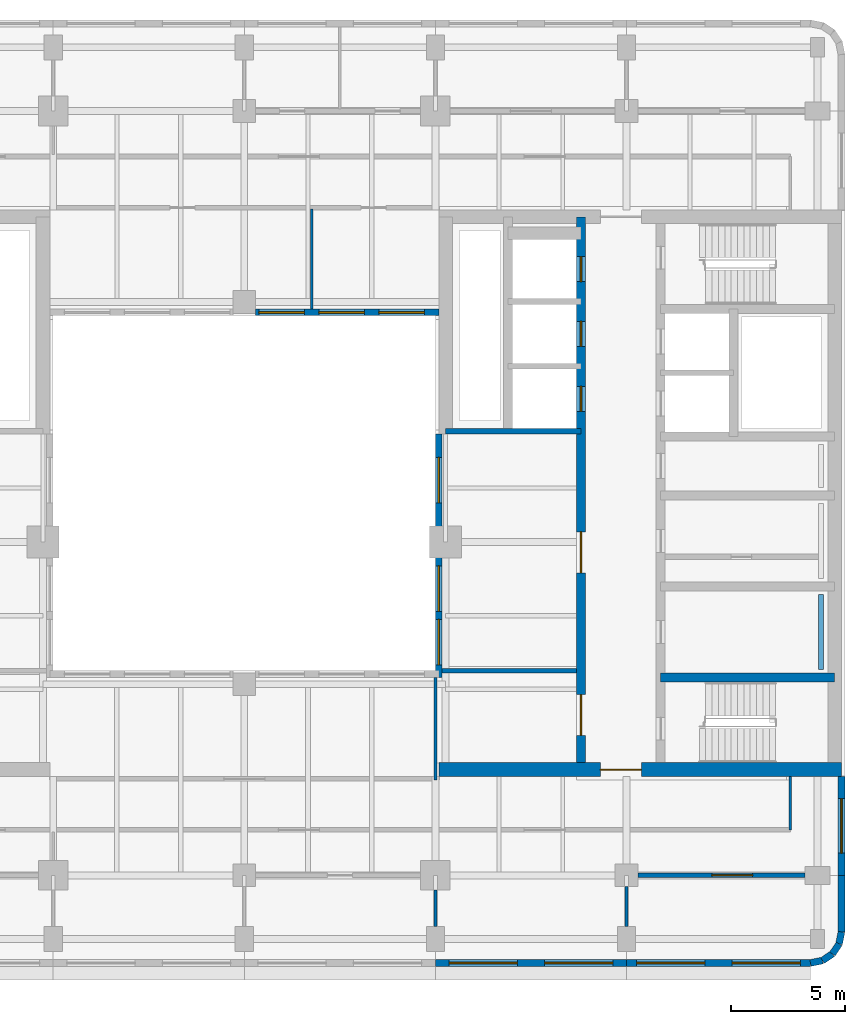
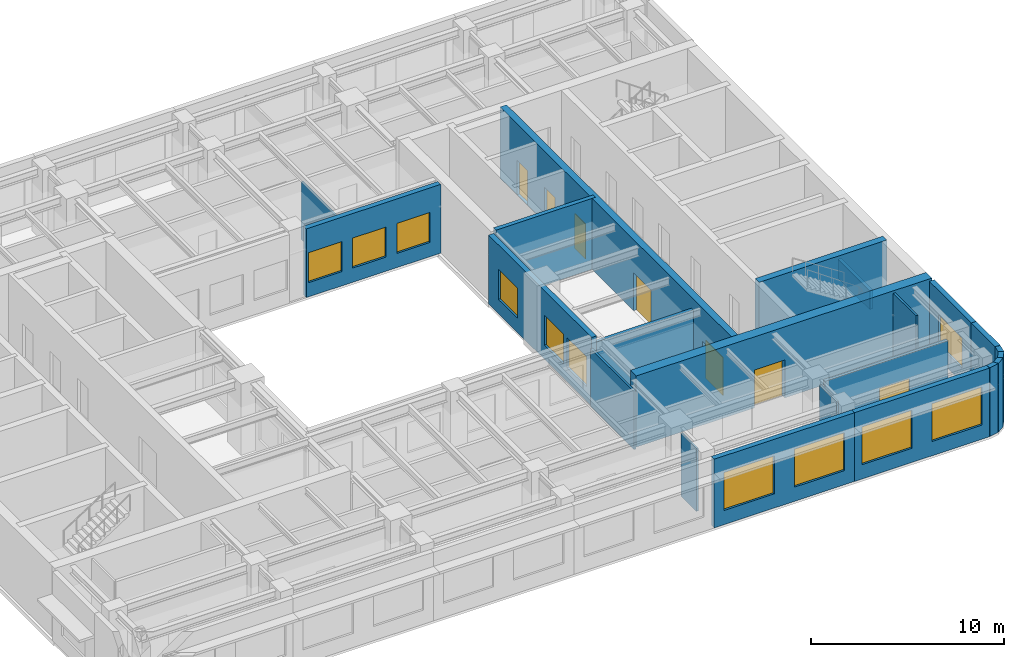
# One storey, part 5 of 11: 22 walls, 11 windows, 7 doors, 18 openings.
"""IFC4 building model written with IfcOpenShell, lengths in metres."""

from ifc_helpers import new_model, si_unit, direction, frame, frame_2d, origin, place, context, subcontext, project, spatial, rectangle, extrude, material, layer, layer_set, type_object, element, fill, save


model = new_model("IFC4")

# Units and contexts
model_context = context("Model", 3, precision=1e-05, world=origin(), true_north=direction((0.0, 1.0)))
body_context = subcontext(model_context, "Body", "Model", "MODEL_VIEW")
ifc_project = project(units=[si_unit("LENGTHUNIT", "METRE"), si_unit("AREAUNIT", "SQUARE_METRE"), si_unit("VOLUMEUNIT", "CUBIC_METRE"), si_unit("PLANEANGLEUNIT", "RADIAN"), si_unit("MASSUNIT", "GRAM", prefix="KILO")], contexts=[model_context])

# Site, building, storey
site_placement = place(None, origin())
site = spatial("IfcSite", under=ifc_project, at=site_placement, CompositionType="ELEMENT")
building_placement = place(site_placement, origin())
building = spatial("IfcBuilding", under=site, at=building_placement, Name="Claustro Exchange Tower", CompositionType="ELEMENT")
storey_placement = place(building_placement, frame((0.0, 0.0, 272.699951171875)))
storey = spatial("IfcBuildingStorey", under=building, at=storey_placement, Name="L62", CompositionType="ELEMENT", Elevation=272.699951171875)

# Walls
ifc_material_1 = material(Name="Laminated glass in aluminium frame", Category="aluminium")
ifc_layer_1 = layer(ifc_material_1, 0.1201171875)
ifc_layer_set_1 = layer_set([ifc_layer_1], Name="Laminated glass in aluminium frame")
wall_type_1 = type_object("IfcWallType", Name="P2 120 glazed partition", PredefinedType="PARTITIONING", material=ifc_layer_set_1)
wall_1_placement = place(storey_placement, frame((33.60009765625, 12.60009765625, 0.0), z_axis=(0.0, 0.0, 1.0), x_axis=(0.0, 1.0, 0.0)))
element("IfcWall", 1, at=wall_1_placement, inside=storey, type_object=wall_type_1, Name="Partition P2 L62", PredefinedType="PARTITIONING", context=body_context, shape_type="SweptSolid", body=[
    extrude(rectangle(XDim=4.501953125, YDim=0.1201171875, at=frame_2d((2.2509765625, 0.0))), origin(), (0.0, 0.0, 1.0), 3.66015625),
])
wall_2_placement = place(storey_placement, frame((33.60009765625, 6.14892578125, 0.0), z_axis=(0.0, 0.0, 1.0), x_axis=(0.0, 1.0, 0.0)))
element("IfcWall", 2, at=wall_2_placement, inside=storey, type_object=wall_type_1, Name="Partition P2 L62", PredefinedType="PARTITIONING", context=body_context, shape_type="SweptSolid", body=[
    extrude(rectangle(XDim=1.60205078125, YDim=0.1201171875, at=frame_2d((0.801025390625, 0.0))), origin(), (0.0, 0.0, 1.0), 3.989990234375),
])
wall_3_placement = place(storey_placement, frame((42.0, 6.14892578125, 0.0), z_axis=(0.0, 0.0, 1.0), x_axis=(0.0, 1.0, 0.0)))
element("IfcWall", 3, at=wall_3_placement, inside=storey, type_object=wall_type_1, Name="Partition P2 L62", PredefinedType="PARTITIONING", context=body_context, shape_type="SweptSolid", body=[
    extrude(rectangle(XDim=1.751953125, YDim=0.1201171875, at=frame_2d((0.8759765625, 0.0))), origin(), (0.0, 0.0, 1.0), 3.989990234375),
])
wall_4_placement = place(storey_placement, frame((49.199951171875, 10.39990234375, 0.0), z_axis=(0.0, 0.0, 1.0), x_axis=(0.0, 1.0, 0.0)))
element("IfcWall", 4, at=wall_4_placement, inside=storey, type_object=wall_type_1, Name="Partition P2 L62", PredefinedType="PARTITIONING", context=body_context, shape_type="SweptSolid", body=[
    extrude(rectangle(XDim=2.35205078125, YDim=0.1201171875, at=frame_2d((1.176025390625, 0.0))), origin(), (0.0, 0.0, 1.0), 4.35009765625),
])
wall_5_placement = place(storey_placement, frame((28.159912109375, 33.298095703125, 0.0), z_axis=(0.0, 0.0, 1.0), x_axis=(0.0, 1.0, 0.0)))
element("IfcWall", 5, at=wall_5_placement, inside=storey, type_object=wall_type_1, Name="Partition P2 L62", PredefinedType="PARTITIONING", context=body_context, shape_type="SweptSolid", body=[
    extrude(rectangle(XDim=4.40380859375, YDim=0.1201171875, at=frame_2d((2.201904296875, 0.0))), origin(), (0.0, 0.0, 1.0), 3.66015625),
])
ifc_material_2 = material(Name="Twin-skin gypsum board on steel studs, mineral wool", Category="steel")
ifc_layer_2 = layer(ifc_material_2, 0.199951171875)
ifc_layer_set_2 = layer_set([ifc_layer_2], Name="Twin-skin gypsum board on steel studs, mineral wool")
wall_type_2 = type_object("IfcWallType", Name="P3 200 acoustic partition", PredefinedType="PARTITIONING", material=ifc_layer_set_2)
wall_6_placement = place(storey_placement, frame((33.89794921875, 17.39990234375, 0.0), z_axis=(0.0, 0.0, 1.0), x_axis=(1.0, 0.0, 0.0)))
element("IfcWall", 6, at=wall_6_placement, inside=storey, type_object=wall_type_2, Name="Partition P3 L62", PredefinedType="PARTITIONING", context=body_context, shape_type="SweptSolid", body=[
    extrude(rectangle(XDim=5.904052734375, YDim=0.199951171875, at=frame_2d((2.9521484375, 0.0))), origin(), (0.0, 0.0, 1.0), 3.800048828125),
])

# Wall, opening, door
wall_7_placement = place(storey_placement, frame((42.4990234375, 8.39990234375, 0.0), z_axis=(0.0, 0.0, 1.0), x_axis=(1.0, 0.0, 0.0)))
wall_7 = element("IfcWall", 7, at=wall_7_placement, inside=storey, type_object=wall_type_2, Name="Partition P3 L62", PredefinedType="PARTITIONING", context=body_context, shape_type="SweptSolid", body=[
    extrude(rectangle(XDim=7.35205078125, YDim=0.199951171875, at=frame_2d((3.676025390625, 0.0))), origin(), (0.0, 0.0, 1.0), 3.800048828125),
])
opening_1_placement = place(wall_7_placement, frame((3.2509765625, 0.0, 0.0)))
opening_1 = element("IfcOpeningElement", 8, at=opening_1_placement, cuts=wall_7, Name="Opening D2", PredefinedType="OPENING", context=body_context, shape_type="SweptSolid", body=[
    extrude(rectangle(XDim=1.800048828125, YDim=2.199951171875, at=frame_2d((0.89990234375, 1.10009765625))), frame((0.0, 0.10986328125, 0.0), z_axis=(0.0, -1.0, 0.0), x_axis=(1.0, 0.0, 0.0)), (0.0, 0.0, 1.0), 0.219970703125),
])
ifc_material_3 = material(Name="Timber door, oak veneer", Category="wood")
door_type_1 = type_object("IfcDoorType", Name="D2 1800 x 2200 double door", OperationType="DOUBLE_DOOR_SINGLE_SWING", PredefinedType="DOOR", material=ifc_material_3)
door_1_placement = place(opening_1_placement, frame((1.800048828125, 0.0, 0.0), z_axis=(0.0, 0.0, 1.0), x_axis=(-1.0, 0.0, 0.0)))
door_1 = element("IfcDoor", 9, at=door_1_placement, inside=storey, type_object=door_type_1, Name="Double door D2 L62", OperationType="DOUBLE_DOOR_SINGLE_SWING", OverallHeight=2.199951171875, OverallWidth=1.800048828125, PredefinedType="DOOR", context=body_context, shape_type="SweptSolid", body=[
    extrude(rectangle(XDim=1.800048828125, YDim=2.199951171875, at=frame_2d((0.89990234375, 1.10009765625))), frame((0.0, 0.02490234375, 0.0), z_axis=(0.0, -1.0, 0.0), x_axis=(1.0, 0.0, 0.0)), (0.0, 0.0, 1.0), 0.050048828125),
])
fill(opening_1, door_1)

# Wall, openings, windows
ifc_material_4 = material(Name="Concrete HA-40 (C40/50), precast, white cement, acid-etched", Category="concrete")
ifc_layer_3 = layer(ifc_material_4, 0.300048828125)
ifc_layer_set_3 = layer_set([ifc_layer_3], Name="Concrete HA-40 (C40/50), precast, white cement, acid-etched")
wall_type_3 = type_object("IfcWallType", Name="PC1 300 precast concrete pier panel", PredefinedType="SOLIDWALL", material=ifc_layer_set_3)
wall_8_placement = place(storey_placement, frame((50.085205078125, 4.550048828125, 0.0), z_axis=(0.0, 0.0, 1.0), x_axis=(-1.0, 0.0, 0.0)))
wall_8 = element("IfcWall", 10, at=wall_8_placement, inside=storey, type_object=wall_type_3, Name="Precast pier panel PC1 L62", PredefinedType="SOLIDWALL", context=body_context, shape_type="SweptSolid", body=[
    extrude(rectangle(XDim=8.085205078125, YDim=0.300048828125, at=frame_2d((4.04248046875, 0.0))), origin(), (0.0, 0.0, 1.0), 4.35009765625),
])
opening_2_placement = place(wall_8_placement, frame((0.442626953125, 0.0, 0.89990234375)))
opening_2 = element("IfcOpeningElement", 11, at=opening_2_placement, cuts=wall_8, Name="Opening W3", PredefinedType="OPENING", context=body_context, shape_type="SweptSolid", body=[
    extrude(rectangle(XDim=3.0, YDim=2.39990234375, at=frame_2d((1.5, 1.199951171875))), frame((0.0, 0.159912109375, 0.0), z_axis=(0.0, -1.0, 0.0), x_axis=(1.0, 0.0, 0.0)), (0.0, 0.0, 1.0), 0.320068359375),
])
opening_3_placement = place(wall_8_placement, frame((4.642578125, 0.0, 0.89990234375)))
opening_3 = element("IfcOpeningElement", 12, at=opening_3_placement, cuts=wall_8, Name="Opening W3", PredefinedType="OPENING", context=body_context, shape_type="SweptSolid", body=[
    extrude(rectangle(XDim=3.0, YDim=2.39990234375, at=frame_2d((1.5, 1.199951171875))), frame((0.0, 0.159912109375, 0.0), z_axis=(0.0, -1.0, 0.0), x_axis=(1.0, 0.0, 0.0)), (0.0, 0.0, 1.0), 0.320068359375),
])
ifc_material_5 = material(Name="Aluminium frame, clear double glazing", Category="aluminium")
window_type_1 = type_object("IfcWindowType", Name="W3 3000 x 2400 window", PartitioningType="SINGLE_PANEL", PredefinedType="WINDOW", material=ifc_material_5)
window_1_placement = place(opening_2_placement, origin())
window_1 = element("IfcWindow", 13, at=window_1_placement, inside=storey, type_object=window_type_1, Name="Window W3 L62", OverallHeight=2.39990234375, OverallWidth=3.0, PartitioningType="SINGLE_PANEL", PredefinedType="WINDOW", context=body_context, shape_type="SweptSolid", body=[
    extrude(rectangle(XDim=3.0, YDim=2.39990234375, at=frame_2d((1.5, 1.199951171875))), frame((0.0, 0.030029296875, 0.0), z_axis=(0.0, -1.0, 0.0), x_axis=(1.0, 0.0, 0.0)), (0.0, 0.0, 1.0), 0.06005859375),
])
fill(opening_2, window_1)
window_2_placement = place(opening_3_placement, origin())
window_2 = element("IfcWindow", 14, at=window_2_placement, inside=storey, type_object=window_type_1, Name="Window W3 L62", OverallHeight=2.39990234375, OverallWidth=3.0, PartitioningType="SINGLE_PANEL", PredefinedType="WINDOW", context=body_context, shape_type="SweptSolid", body=[
    extrude(rectangle(XDim=3.0, YDim=2.39990234375, at=frame_2d((1.5, 1.199951171875))), frame((0.0, 0.030029296875, 0.0), z_axis=(0.0, -1.0, 0.0), x_axis=(1.0, 0.0, 0.0)), (0.0, 0.0, 1.0), 0.06005859375),
])
fill(opening_3, window_2)

wall_9_placement = place(storey_placement, frame((42.0, 4.550048828125, 0.0), z_axis=(0.0, 0.0, 1.0), x_axis=(-1.0, 0.0, 0.0)))
wall_9 = element("IfcWall", 15, at=wall_9_placement, inside=storey, type_object=wall_type_3, Name="Precast pier panel PC1 L62", PredefinedType="SOLIDWALL", context=body_context, shape_type="SweptSolid", body=[
    extrude(rectangle(XDim=8.39990234375, YDim=0.300048828125, at=frame_2d((4.199951171875, 0.0))), origin(), (0.0, 0.0, 1.0), 4.35009765625),
])
opening_4_placement = place(wall_9_placement, frame((0.60009765625, 0.0, 0.89990234375)))
opening_4 = element("IfcOpeningElement", 16, at=opening_4_placement, cuts=wall_9, Name="Opening W3", PredefinedType="OPENING", context=body_context, shape_type="SweptSolid", body=[
    extrude(rectangle(XDim=3.0, YDim=2.39990234375, at=frame_2d((1.5, 1.199951171875))), frame((0.0, 0.159912109375, 0.0), z_axis=(0.0, -1.0, 0.0), x_axis=(1.0, 0.0, 0.0)), (0.0, 0.0, 1.0), 0.320068359375),
])
opening_5_placement = place(wall_9_placement, frame((4.800048828125, 0.0, 0.89990234375)))
opening_5 = element("IfcOpeningElement", 17, at=opening_5_placement, cuts=wall_9, Name="Opening W3", PredefinedType="OPENING", context=body_context, shape_type="SweptSolid", body=[
    extrude(rectangle(XDim=3.0, YDim=2.39990234375, at=frame_2d((1.5, 1.199951171875))), frame((0.0, 0.159912109375, 0.0), z_axis=(0.0, -1.0, 0.0), x_axis=(1.0, 0.0, 0.0)), (0.0, 0.0, 1.0), 0.320068359375),
])
window_3_placement = place(opening_4_placement, origin())
window_3 = element("IfcWindow", 18, at=window_3_placement, inside=storey, type_object=window_type_1, Name="Window W3 L62", OverallHeight=2.39990234375, OverallWidth=3.0, PartitioningType="SINGLE_PANEL", PredefinedType="WINDOW", context=body_context, shape_type="SweptSolid", body=[
    extrude(rectangle(XDim=3.0, YDim=2.39990234375, at=frame_2d((1.5, 1.199951171875))), frame((0.0, 0.030029296875, 0.0), z_axis=(0.0, -1.0, 0.0), x_axis=(1.0, 0.0, 0.0)), (0.0, 0.0, 1.0), 0.06005859375),
])
fill(opening_4, window_3)
window_4_placement = place(opening_5_placement, origin())
window_4 = element("IfcWindow", 19, at=window_4_placement, inside=storey, type_object=window_type_1, Name="Window W3 L62", OverallHeight=2.39990234375, OverallWidth=3.0, PartitioningType="SINGLE_PANEL", PredefinedType="WINDOW", context=body_context, shape_type="SweptSolid", body=[
    extrude(rectangle(XDim=3.0, YDim=2.39990234375, at=frame_2d((1.5, 1.199951171875))), frame((0.0, 0.030029296875, 0.0), z_axis=(0.0, -1.0, 0.0), x_axis=(1.0, 0.0, 0.0)), (0.0, 0.0, 1.0), 0.06005859375),
])
fill(opening_5, window_4)

# Wall, opening, window
wall_10_placement = place(storey_placement, frame((51.449951171875, 12.75, 0.0), z_axis=(0.0, 0.0, 1.0), x_axis=(0.0, -1.0, 0.0)))
wall_10 = element("IfcWall", 20, at=wall_10_placement, inside=storey, type_object=wall_type_3, Name="Precast pier panel PC1 L62", PredefinedType="SOLIDWALL", context=body_context, shape_type="SweptSolid", body=[
    extrude(rectangle(XDim=4.35009765625, YDim=0.300048828125, at=frame_2d((2.175048828125, 0.0))), origin(), (0.0, 0.0, 1.0), 4.35009765625),
])
opening_6_placement = place(wall_10_placement, frame((0.97509765625, 0.0, 0.89990234375)))
opening_6 = element("IfcOpeningElement", 21, at=opening_6_placement, cuts=wall_10, Name="Opening W2", PredefinedType="OPENING", context=body_context, shape_type="SweptSolid", body=[
    extrude(rectangle(XDim=2.39990234375, YDim=1.89990234375, at=frame_2d((1.199951171875, 0.949951171875))), frame((0.0, 0.159912109375, 0.0), z_axis=(0.0, -1.0, 0.0), x_axis=(1.0, 0.0, 0.0)), (0.0, 0.0, 1.0), 0.320068359375),
])
ifc_material_6 = material(Name="Aluminium frame, clear double glazing", Category="aluminium")
window_type_2 = type_object("IfcWindowType", Name="W2 2400 x 1900 window", PartitioningType="SINGLE_PANEL", PredefinedType="WINDOW", material=ifc_material_6)
window_5_placement = place(opening_6_placement, origin())
window_5 = element("IfcWindow", 22, at=window_5_placement, inside=storey, type_object=window_type_2, Name="Window W2 L62", OverallHeight=1.89990234375, OverallWidth=2.39990234375, PartitioningType="SINGLE_PANEL", PredefinedType="WINDOW", context=body_context, shape_type="SweptSolid", body=[
    extrude(rectangle(XDim=2.39990234375, YDim=1.89990234375, at=frame_2d((1.199951171875, 0.949951171875))), frame((0.0, 0.030029296875, 0.0), z_axis=(0.0, -1.0, 0.0), x_axis=(1.0, 0.0, 0.0)), (0.0, 0.0, 1.0), 0.06005859375),
])
fill(opening_6, window_5)

# Walls
wall_11_placement = place(storey_placement, frame((51.449951171875, 8.39990234375, 0.0), z_axis=(0.0, 0.0, 1.0), x_axis=(0.0, -1.0, 0.0)))
element("IfcWall", 23, at=wall_11_placement, inside=storey, type_object=wall_type_3, Name="Precast pier panel PC1 L62", PredefinedType="SOLIDWALL", context=body_context, shape_type="SweptSolid", body=[
    extrude(rectangle(XDim=2.485107421875, YDim=0.300048828125, at=frame_2d((1.24267578125, 0.0))), origin(), (0.0, 0.0, 1.0), 4.35009765625),
])
wall_12_placement = place(storey_placement, frame((51.449951171875, 5.914794921875, 0.0), z_axis=(0.0, 0.0, 1.0), x_axis=(-0.195073962632, -0.980788534345, 0.0)))
element("IfcWall", 24, at=wall_12_placement, inside=storey, type_object=wall_type_3, Name="Precast pier panel PC1 L62", PredefinedType="SOLIDWALL", context=body_context, shape_type="SweptSolid", body=[
    extrude(rectangle(XDim=0.540771484375, YDim=0.300048828125, at=frame_2d((0.2705078125, 0.0))), origin(), (0.0, 0.0, 1.0), 4.35009765625),
])
for number, where, z_axis, x_axis, name in (
    (25, (51.344482421875, 5.384521484375, 0.0), (0.0, 0.0, 1.0), (-0.555557463938, -0.831478144188, 0.0), "Precast pier panel PC1 L62"),
    (26, (51.052490234375, 4.947509765625, 0.0), (0.0, 0.0, 1.0), (-0.831478144188, -0.555557463938, 0.0), "Precast pier panel PC1 L62"),
):
    element("IfcWall", number, at=place(storey_placement, frame(where, z_axis=z_axis, x_axis=x_axis)), inside=storey, type_object=wall_type_3, Name=name, PredefinedType="SOLIDWALL", context=body_context, shape_type="SweptSolid", body=[
        extrude(rectangle(XDim=0.525634765625, YDim=0.300048828125, at=frame_2d((0.2626953125, 0.0))), origin(), (0.0, 0.0, 1.0), 4.35009765625),
    ])
wall_13_placement = place(storey_placement, frame((50.615478515625, 4.655517578125, 0.0), z_axis=(0.0, 0.0, 1.0), x_axis=(-0.980788534345, -0.195073962632, 0.0)))
element("IfcWall", 27, at=wall_13_placement, inside=storey, type_object=wall_type_3, Name="Precast pier panel PC1 L62", PredefinedType="SOLIDWALL", context=body_context, shape_type="SweptSolid", body=[
    extrude(rectangle(XDim=0.540771484375, YDim=0.300048828125, at=frame_2d((0.2705078125, 0.0))), origin(), (0.0, 0.0, 1.0), 4.35009765625),
])

# Wall, openings, windows
wall_14_placement = place(storey_placement, frame((33.75, 17.10009765625, 0.0), z_axis=(0.0, 0.0, 1.0), x_axis=(0.0, 1.0, 0.0)))
wall_14 = element("IfcWall", 28, at=wall_14_placement, inside=storey, type_object=wall_type_3, Name="Precast pier panel PC1 L62", PredefinedType="SOLIDWALL", context=body_context, shape_type="SweptSolid", body=[
    extrude(rectangle(XDim=10.699951171875, YDim=0.300048828125, at=frame_2d((5.35009765625, 0.0))), origin(), (0.0, 0.0, 1.0), 4.35009765625),
])
opening_7_placement = place(wall_14_placement, frame((0.550048828125, 0.0, 0.89990234375)))
opening_7 = element("IfcOpeningElement", 29, at=opening_7_placement, cuts=wall_14, Name="Opening W4", PredefinedType="OPENING", context=body_context, shape_type="SweptSolid", body=[
    extrude(rectangle(XDim=2.0, YDim=1.89990234375, at=frame_2d((1.0, 0.949951171875))), frame((0.0, 0.159912109375, 0.0), z_axis=(0.0, -1.0, 0.0), x_axis=(1.0, 0.0, 0.0)), (0.0, 0.0, 1.0), 0.320068359375),
])
opening_8_placement = place(wall_14_placement, frame((2.89990234375, 0.0, 0.89990234375)))
opening_8 = element("IfcOpeningElement", 30, at=opening_8_placement, cuts=wall_14, Name="Opening W4", PredefinedType="OPENING", context=body_context, shape_type="SweptSolid", body=[
    extrude(rectangle(XDim=2.0, YDim=1.89990234375, at=frame_2d((1.0, 0.949951171875))), frame((0.0, 0.159912109375, 0.0), z_axis=(0.0, -1.0, 0.0), x_axis=(1.0, 0.0, 0.0)), (0.0, 0.0, 1.0), 0.320068359375),
])
opening_9_placement = place(wall_14_placement, frame((7.675048828125, 0.0, 0.89990234375)))
opening_9 = element("IfcOpeningElement", 31, at=opening_9_placement, cuts=wall_14, Name="Opening W4", PredefinedType="OPENING", context=body_context, shape_type="SweptSolid", body=[
    extrude(rectangle(XDim=2.0, YDim=1.89990234375, at=frame_2d((1.0, 0.949951171875))), frame((0.0, 0.159912109375, 0.0), z_axis=(0.0, -1.0, 0.0), x_axis=(1.0, 0.0, 0.0)), (0.0, 0.0, 1.0), 0.320068359375),
])
ifc_material_7 = material(Name="Aluminium frame, clear double glazing", Category="aluminium")
window_type_3 = type_object("IfcWindowType", Name="W4 2000 x 1900 light well window", PartitioningType="SINGLE_PANEL", PredefinedType="WINDOW", material=ifc_material_7)
window_6_placement = place(opening_7_placement, origin())
window_6 = element("IfcWindow", 32, at=window_6_placement, inside=storey, type_object=window_type_3, Name="Window W4 L62", OverallHeight=1.89990234375, OverallWidth=2.0, PartitioningType="SINGLE_PANEL", PredefinedType="WINDOW", context=body_context, shape_type="SweptSolid", body=[
    extrude(rectangle(XDim=2.0, YDim=1.89990234375, at=frame_2d((1.0, 0.949951171875))), frame((0.0, 0.030029296875, 0.0), z_axis=(0.0, -1.0, 0.0), x_axis=(1.0, 0.0, 0.0)), (0.0, 0.0, 1.0), 0.06005859375),
])
fill(opening_7, window_6)
window_7_placement = place(opening_8_placement, origin())
window_7 = element("IfcWindow", 33, at=window_7_placement, inside=storey, type_object=window_type_3, Name="Window W4 L62", OverallHeight=1.89990234375, OverallWidth=2.0, PartitioningType="SINGLE_PANEL", PredefinedType="WINDOW", context=body_context, shape_type="SweptSolid", body=[
    extrude(rectangle(XDim=2.0, YDim=1.89990234375, at=frame_2d((1.0, 0.949951171875))), frame((0.0, 0.030029296875, 0.0), z_axis=(0.0, -1.0, 0.0), x_axis=(1.0, 0.0, 0.0)), (0.0, 0.0, 1.0), 0.06005859375),
])
fill(opening_8, window_7)
window_8_placement = place(opening_9_placement, origin())
window_8 = element("IfcWindow", 34, at=window_8_placement, inside=storey, type_object=window_type_3, Name="Window W4 L62", OverallHeight=1.89990234375, OverallWidth=2.0, PartitioningType="SINGLE_PANEL", PredefinedType="WINDOW", context=body_context, shape_type="SweptSolid", body=[
    extrude(rectangle(XDim=2.0, YDim=1.89990234375, at=frame_2d((1.0, 0.949951171875))), frame((0.0, 0.030029296875, 0.0), z_axis=(0.0, -1.0, 0.0), x_axis=(1.0, 0.0, 0.0)), (0.0, 0.0, 1.0), 0.06005859375),
])
fill(opening_9, window_8)

wall_15_placement = place(storey_placement, frame((25.699951171875, 33.14990234375, 0.0), z_axis=(0.0, 0.0, 1.0), x_axis=(1.0, 0.0, 0.0)))
wall_15 = element("IfcWall", 35, at=wall_15_placement, inside=storey, type_object=wall_type_3, Name="Precast pier panel PC1 L62", PredefinedType="SOLIDWALL", context=body_context, shape_type="SweptSolid", body=[
    extrude(rectangle(XDim=8.050048828125, YDim=0.300048828125, at=frame_2d((4.02490234375, 0.0))), origin(), (0.0, 0.0, 1.0), 4.35009765625),
])
opening_10_placement = place(wall_15_placement, frame((0.137451171875, 0.0, 0.89990234375)))
opening_10 = element("IfcOpeningElement", 36, at=opening_10_placement, cuts=wall_15, Name="Opening W4", PredefinedType="OPENING", context=body_context, shape_type="SweptSolid", body=[
    extrude(rectangle(XDim=2.0, YDim=1.89990234375, at=frame_2d((1.0, 0.949951171875))), frame((0.0, 0.159912109375, 0.0), z_axis=(0.0, -1.0, 0.0), x_axis=(1.0, 0.0, 0.0)), (0.0, 0.0, 1.0), 0.320068359375),
])
opening_11_placement = place(wall_15_placement, frame((2.77490234375, 0.0, 0.89990234375)))
opening_11 = element("IfcOpeningElement", 37, at=opening_11_placement, cuts=wall_15, Name="Opening W4", PredefinedType="OPENING", context=body_context, shape_type="SweptSolid", body=[
    extrude(rectangle(XDim=2.0, YDim=1.89990234375, at=frame_2d((1.0, 0.949951171875))), frame((0.0, 0.159912109375, 0.0), z_axis=(0.0, -1.0, 0.0), x_axis=(1.0, 0.0, 0.0)), (0.0, 0.0, 1.0), 0.320068359375),
])
opening_12_placement = place(wall_15_placement, frame((5.41259765625, 0.0, 0.89990234375)))
opening_12 = element("IfcOpeningElement", 38, at=opening_12_placement, cuts=wall_15, Name="Opening W4", PredefinedType="OPENING", context=body_context, shape_type="SweptSolid", body=[
    extrude(rectangle(XDim=2.0, YDim=1.89990234375, at=frame_2d((1.0, 0.949951171875))), frame((0.0, 0.159912109375, 0.0), z_axis=(0.0, -1.0, 0.0), x_axis=(1.0, 0.0, 0.0)), (0.0, 0.0, 1.0), 0.320068359375),
])
window_9_placement = place(opening_10_placement, origin())
window_9 = element("IfcWindow", 39, at=window_9_placement, inside=storey, type_object=window_type_3, Name="Window W4 L62", OverallHeight=1.89990234375, OverallWidth=2.0, PartitioningType="SINGLE_PANEL", PredefinedType="WINDOW", context=body_context, shape_type="SweptSolid", body=[
    extrude(rectangle(XDim=2.0, YDim=1.89990234375, at=frame_2d((1.0, 0.949951171875))), frame((0.0, 0.030029296875, 0.0), z_axis=(0.0, -1.0, 0.0), x_axis=(1.0, 0.0, 0.0)), (0.0, 0.0, 1.0), 0.06005859375),
])
fill(opening_10, window_9)
window_10_placement = place(opening_11_placement, origin())
window_10 = element("IfcWindow", 40, at=window_10_placement, inside=storey, type_object=window_type_3, Name="Window W4 L62", OverallHeight=1.89990234375, OverallWidth=2.0, PartitioningType="SINGLE_PANEL", PredefinedType="WINDOW", context=body_context, shape_type="SweptSolid", body=[
    extrude(rectangle(XDim=2.0, YDim=1.89990234375, at=frame_2d((1.0, 0.949951171875))), frame((0.0, 0.030029296875, 0.0), z_axis=(0.0, -1.0, 0.0), x_axis=(1.0, 0.0, 0.0)), (0.0, 0.0, 1.0), 0.06005859375),
])
fill(opening_11, window_10)
window_11_placement = place(opening_12_placement, origin())
window_11 = element("IfcWindow", 41, at=window_11_placement, inside=storey, type_object=window_type_3, Name="Window W4 L62", OverallHeight=1.89990234375, OverallWidth=2.0, PartitioningType="SINGLE_PANEL", PredefinedType="WINDOW", context=body_context, shape_type="SweptSolid", body=[
    extrude(rectangle(XDim=2.0, YDim=1.89990234375, at=frame_2d((1.0, 0.949951171875))), frame((0.0, 0.030029296875, 0.0), z_axis=(0.0, -1.0, 0.0), x_axis=(1.0, 0.0, 0.0)), (0.0, 0.0, 1.0), 0.06005859375),
])
fill(opening_12, window_11)

# Wall
ifc_material_8 = material(Name="Gypsum board on steel studs, tiled", Category="steel")
ifc_layer_4 = layer(ifc_material_8, 0.199951171875)
ifc_layer_set_4 = layer_set([ifc_layer_4], Name="Gypsum board on steel studs, tiled")
wall_type_4 = type_object("IfcWallType", Name="PW1 200 WC duct wall", PredefinedType="PLUMBINGWALL", material=ifc_layer_set_4)
wall_16_placement = place(storey_placement, frame((50.550048828125, 17.449951171875, 0.0), z_axis=(0.0, 0.0, 1.0), x_axis=(0.0, 1.0, 0.0)))
element("IfcWall", 42, at=wall_16_placement, inside=storey, type_object=wall_type_4, Name="WC duct wall PW1 L62", PredefinedType="PLUMBINGWALL", context=body_context, shape_type="SweptSolid", body=[
    extrude(rectangle(XDim=3.300048828125, YDim=0.199951171875, at=frame_2d((1.64990234375, 0.0))), origin(), (0.0, 0.0, 1.0), 1.199951171875),
])

# Wall, opening, door
ifc_material_9 = material(Name="Concrete HA-50 (C50/60)", Category="concrete")
ifc_layer_5 = layer(ifc_material_9, 0.60009765625)
ifc_layer_set_5 = layer_set([ifc_layer_5], Name="Concrete HA-50 (C50/60)")
wall_type_5 = type_object("IfcWallType", Name="SW3 600 core shear wall", PredefinedType="SHEAR", material=ifc_layer_set_5)
wall_17_placement = place(storey_placement, frame((33.75, 13.050048828125, 0.0), z_axis=(0.0, 0.0, 1.0), x_axis=(1.0, 0.0, 0.0)))
wall_17 = element("IfcWall", 43, at=wall_17_placement, inside=storey, type_object=wall_type_5, Name="Core wall SW3 E core S face L62", PredefinedType="SHEAR", context=body_context, shape_type="SweptSolid", body=[
    extrude(rectangle(XDim=17.699951171875, YDim=0.60009765625, at=frame_2d((8.85009765625, 0.0))), origin(), (0.0, 0.0, 1.0), 4.5),
])
opening_13_placement = place(wall_17_placement, frame((7.10009765625, 0.0, 0.0)))
opening_13 = element("IfcOpeningElement", 44, at=opening_13_placement, cuts=wall_17, Name="Opening D3", PredefinedType="OPENING", context=body_context, shape_type="SweptSolid", body=[
    extrude(rectangle(XDim=1.800048828125, YDim=2.39990234375, at=frame_2d((0.89990234375, 1.199951171875))), frame((0.0, 0.31005859375, 0.0), z_axis=(0.0, -1.0, 0.0), x_axis=(1.0, 0.0, 0.0)), (0.0, 0.0, 1.0), 0.6201171875),
])
ifc_material_10 = material(Name="Steel fire door, painted", Category="steel")
door_type_2 = type_object("IfcDoorType", Name="D3 1800 x 2400 fire-rated lobby double door", OperationType="DOUBLE_DOOR_SINGLE_SWING", PredefinedType="DOOR", material=ifc_material_10)
door_2_placement = place(opening_13_placement, origin())
door_2 = element("IfcDoor", 45, at=door_2_placement, inside=storey, type_object=door_type_2, Name="Lift lobby door D3 L62", OperationType="DOUBLE_DOOR_SINGLE_SWING", OverallHeight=2.39990234375, OverallWidth=1.800048828125, PredefinedType="DOOR", context=body_context, shape_type="SweptSolid", body=[
    extrude(rectangle(XDim=1.800048828125, YDim=2.39990234375, at=frame_2d((0.89990234375, 1.199951171875))), frame((0.0, 0.02490234375, 0.0), z_axis=(0.0, -1.0, 0.0), x_axis=(1.0, 0.0, 0.0)), (0.0, 0.0, 1.0), 0.050048828125),
])
fill(opening_13, door_2)

# Wall, openings, doors
ifc_material_11 = material(Name="Concrete HA-50 (C50/60)", Category="concrete")
ifc_layer_6 = layer(ifc_material_11, 0.39990234375)
ifc_layer_set_6 = layer_set([ifc_layer_6], Name="Concrete HA-50 (C50/60)")
wall_type_6 = type_object("IfcWallType", Name="SW4 400 internal core wall", PredefinedType="SHEAR", material=ifc_layer_set_6)
wall_18_placement = place(storey_placement, frame((40.0, 13.050048828125, 0.0), z_axis=(0.0, 0.0, 1.0), x_axis=(0.0, 1.0, 0.0)))
wall_18 = element("IfcWall", 46, at=wall_18_placement, inside=storey, type_object=wall_type_6, Name="Internal core wall SW4 E core L62", PredefinedType="SHEAR", context=body_context, shape_type="SweptSolid", body=[
    extrude(rectangle(XDim=24.300048828125, YDim=0.39990234375, at=frame_2d((12.14990234375, 0.0))), origin(), (0.0, 0.0, 1.0), 4.5),
])
opening_14_placement = place(wall_18_placement, frame((15.75, 0.0, 0.0)))
opening_14 = element("IfcOpeningElement", 47, at=opening_14_placement, cuts=wall_18, Name="Opening LD", PredefinedType="OPENING", context=body_context, shape_type="SweptSolid", body=[
    extrude(rectangle(XDim=1.10009765625, YDim=2.199951171875, at=frame_2d((0.550048828125, 1.10009765625))), frame((0.0, 0.2099609375, 0.0), z_axis=(0.0, -1.0, 0.0), x_axis=(1.0, 0.0, 0.0)), (0.0, 0.0, 1.0), 0.419921875),
])
opening_15_placement = place(wall_18_placement, frame((18.60009765625, 0.0, 0.0)))
opening_15 = element("IfcOpeningElement", 48, at=opening_15_placement, cuts=wall_18, Name="Opening LD", PredefinedType="OPENING", context=body_context, shape_type="SweptSolid", body=[
    extrude(rectangle(XDim=1.10009765625, YDim=2.199951171875, at=frame_2d((0.550048828125, 1.10009765625))), frame((0.0, 0.2099609375, 0.0), z_axis=(0.0, -1.0, 0.0), x_axis=(1.0, 0.0, 0.0)), (0.0, 0.0, 1.0), 0.419921875),
])
opening_16_placement = place(wall_18_placement, frame((21.449951171875, 0.0, 0.0)))
opening_16 = element("IfcOpeningElement", 49, at=opening_16_placement, cuts=wall_18, Name="Opening LD", PredefinedType="OPENING", context=body_context, shape_type="SweptSolid", body=[
    extrude(rectangle(XDim=1.10009765625, YDim=2.199951171875, at=frame_2d((0.550048828125, 1.10009765625))), frame((0.0, 0.2099609375, 0.0), z_axis=(0.0, -1.0, 0.0), x_axis=(1.0, 0.0, 0.0)), (0.0, 0.0, 1.0), 0.419921875),
])
opening_17_placement = place(wall_18_placement, frame((8.64990234375, 0.0, 0.0)))
opening_17 = element("IfcOpeningElement", 50, at=opening_17_placement, cuts=wall_18, Name="Opening D3", PredefinedType="OPENING", context=body_context, shape_type="SweptSolid", body=[
    extrude(rectangle(XDim=1.800048828125, YDim=2.39990234375, at=frame_2d((0.89990234375, 1.199951171875))), frame((0.0, 0.2099609375, 0.0), z_axis=(0.0, -1.0, 0.0), x_axis=(1.0, 0.0, 0.0)), (0.0, 0.0, 1.0), 0.419921875),
])
opening_18_placement = place(wall_18_placement, frame((1.5, 0.0, 0.0)))
opening_18 = element("IfcOpeningElement", 51, at=opening_18_placement, cuts=wall_18, Name="Opening D3", PredefinedType="OPENING", context=body_context, shape_type="SweptSolid", body=[
    extrude(rectangle(XDim=1.800048828125, YDim=2.39990234375, at=frame_2d((0.89990234375, 1.199951171875))), frame((0.0, 0.2099609375, 0.0), z_axis=(0.0, -1.0, 0.0), x_axis=(1.0, 0.0, 0.0)), (0.0, 0.0, 1.0), 0.419921875),
])
door_3_placement = place(opening_17_placement, origin())
door_3 = element("IfcDoor", 52, at=door_3_placement, inside=storey, type_object=door_type_2, Name="Core zone door D3 L62", OperationType="DOUBLE_DOOR_SINGLE_SWING", OverallHeight=2.39990234375, OverallWidth=1.800048828125, PredefinedType="DOOR", context=body_context, shape_type="SweptSolid", body=[
    extrude(rectangle(XDim=1.800048828125, YDim=2.39990234375, at=frame_2d((0.89990234375, 1.199951171875))), frame((0.0, 0.02490234375, 0.0), z_axis=(0.0, -1.0, 0.0), x_axis=(1.0, 0.0, 0.0)), (0.0, 0.0, 1.0), 0.050048828125),
])
fill(opening_17, door_3)
door_4_placement = place(opening_18_placement, origin())
door_4 = element("IfcDoor", 53, at=door_4_placement, inside=storey, type_object=door_type_2, Name="Core zone door D3 L62", OperationType="DOUBLE_DOOR_SINGLE_SWING", OverallHeight=2.39990234375, OverallWidth=1.800048828125, PredefinedType="DOOR", context=body_context, shape_type="SweptSolid", body=[
    extrude(rectangle(XDim=1.800048828125, YDim=2.39990234375, at=frame_2d((0.89990234375, 1.199951171875))), frame((0.0, 0.02490234375, 0.0), z_axis=(0.0, -1.0, 0.0), x_axis=(1.0, 0.0, 0.0)), (0.0, 0.0, 1.0), 0.050048828125),
])
fill(opening_18, door_4)
ifc_material_12 = material(Name="Stainless steel sliding door", Category="steel")
door_type_3 = type_object("IfcDoorType", Name="LD 1100 x 2200 lift landing door", OperationType="DOUBLE_DOOR_SLIDING", PredefinedType="DOOR", material=ifc_material_12)
door_5_placement = place(opening_14_placement, origin())
door_5 = element("IfcDoor", 54, at=door_5_placement, inside=storey, type_object=door_type_3, Name="Lift landing door LHE1 LD L62", OperationType="DOUBLE_DOOR_SLIDING", OverallHeight=2.199951171875, OverallWidth=1.10009765625, PredefinedType="DOOR", context=body_context, shape_type="SweptSolid", body=[
    extrude(rectangle(XDim=1.10009765625, YDim=2.199951171875, at=frame_2d((0.550048828125, 1.10009765625))), frame((0.0, 0.02490234375, 0.0), z_axis=(0.0, -1.0, 0.0), x_axis=(1.0, 0.0, 0.0)), (0.0, 0.0, 1.0), 0.050048828125),
])
fill(opening_14, door_5)
door_6_placement = place(opening_15_placement, origin())
door_6 = element("IfcDoor", 55, at=door_6_placement, inside=storey, type_object=door_type_3, Name="Lift landing door LHE2 LD L62", OperationType="DOUBLE_DOOR_SLIDING", OverallHeight=2.199951171875, OverallWidth=1.10009765625, PredefinedType="DOOR", context=body_context, shape_type="SweptSolid", body=[
    extrude(rectangle(XDim=1.10009765625, YDim=2.199951171875, at=frame_2d((0.550048828125, 1.10009765625))), frame((0.0, 0.02490234375, 0.0), z_axis=(0.0, -1.0, 0.0), x_axis=(1.0, 0.0, 0.0)), (0.0, 0.0, 1.0), 0.050048828125),
])
fill(opening_15, door_6)
door_7_placement = place(opening_16_placement, origin())
door_7 = element("IfcDoor", 56, at=door_7_placement, inside=storey, type_object=door_type_3, Name="Lift landing door LSE1 LD L62", OperationType="DOUBLE_DOOR_SLIDING", OverallHeight=2.199951171875, OverallWidth=1.10009765625, PredefinedType="DOOR", context=body_context, shape_type="SweptSolid", body=[
    extrude(rectangle(XDim=1.10009765625, YDim=2.199951171875, at=frame_2d((0.550048828125, 1.10009765625))), frame((0.0, 0.02490234375, 0.0), z_axis=(0.0, -1.0, 0.0), x_axis=(1.0, 0.0, 0.0)), (0.0, 0.0, 1.0), 0.050048828125),
])
fill(opening_16, door_7)

# Walls
wall_19_placement = place(storey_placement, frame((51.14990234375, 17.10009765625, 0.0), z_axis=(0.0, 0.0, 1.0), x_axis=(-1.0, 0.0, 0.0)))
element("IfcWall", 57, at=wall_19_placement, inside=storey, type_object=wall_type_6, Name="Internal core wall SW4 E core L62", PredefinedType="SHEAR", context=body_context, shape_type="SweptSolid", body=[
    extrude(rectangle(XDim=7.64990234375, YDim=0.39990234375, at=frame_2d((3.824951171875, 0.0))), origin(), (0.0, 0.0, 1.0), 4.5),
])
ifc_material_13 = material(Name="Concrete HA-50 (C50/60)", Category="concrete")
ifc_layer_7 = layer(ifc_material_13, 0.25)
ifc_layer_set_7 = layer_set([ifc_layer_7], Name="Concrete HA-50 (C50/60)")
wall_type_7 = type_object("IfcWallType", Name="SW5 250 lift shaft divider wall", PredefinedType="SHEAR", material=ifc_layer_set_7)
wall_20_placement = place(storey_placement, frame((40.0, 27.925048828125, 0.0), z_axis=(0.0, 0.0, 1.0), x_axis=(-1.0, 0.0, 0.0)))
element("IfcWall", 58, at=wall_20_placement, inside=storey, type_object=wall_type_7, Name="Core step wall E core L62", PredefinedType="SHEAR", context=body_context, shape_type="SweptSolid", body=[
    extrude(rectangle(XDim=5.949951171875, YDim=0.25, at=frame_2d((2.97509765625, 0.0))), origin(), (0.0, 0.0, 1.0), 4.5),
])

save(model, "model.ifc")
